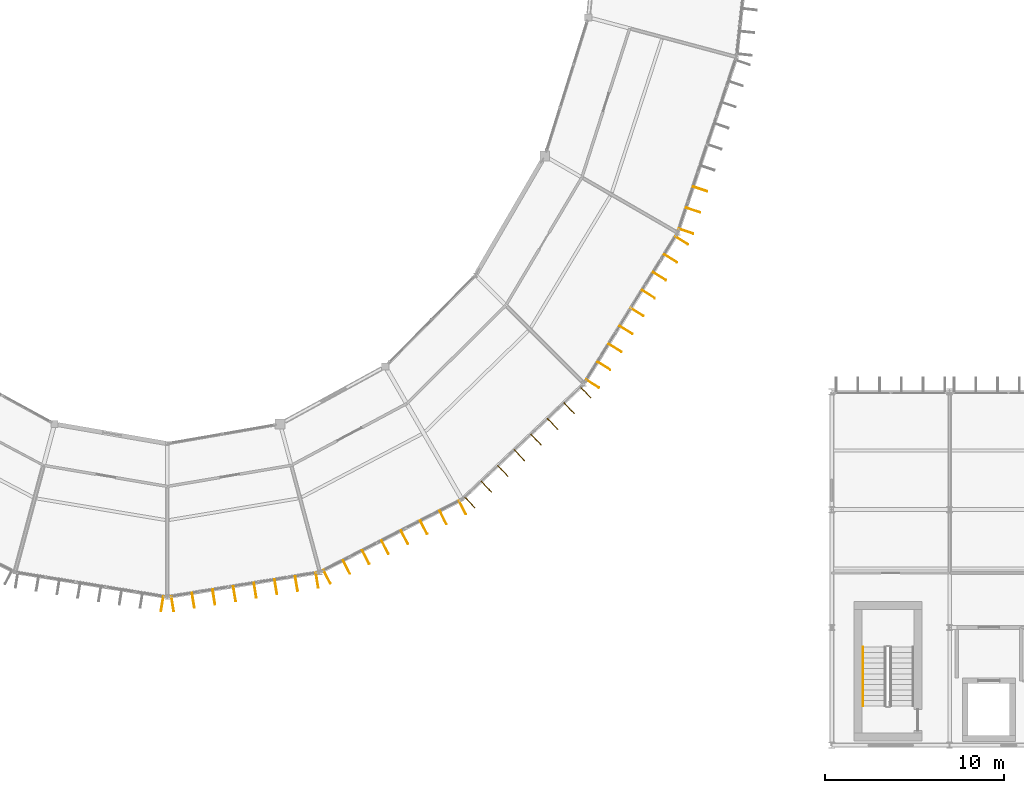
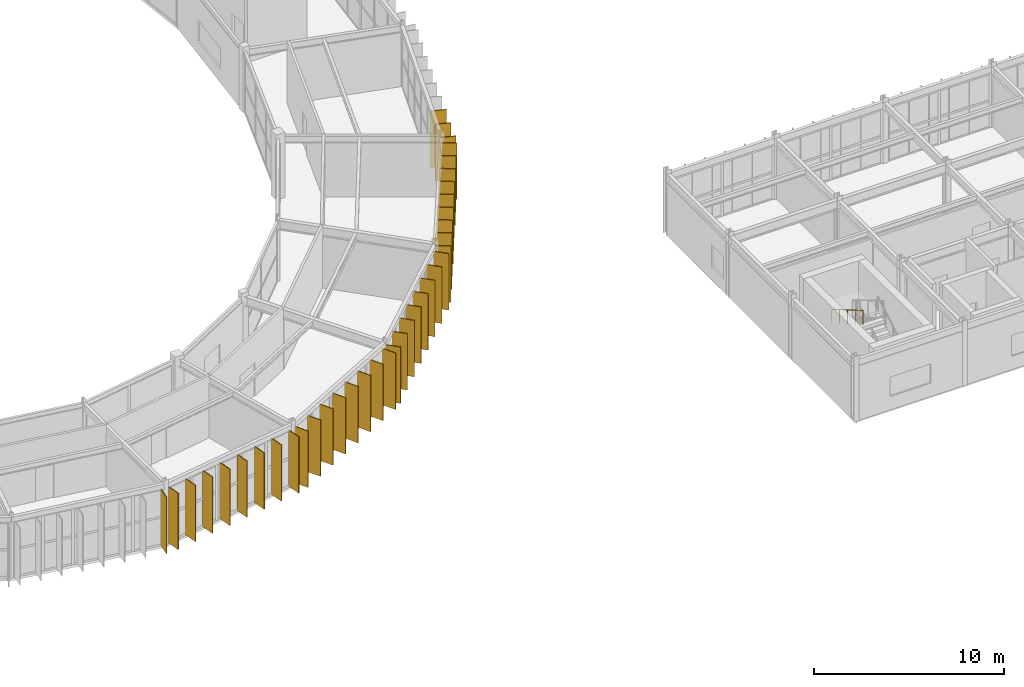
# One storey, part 123 of 130: 37 shading devices, 1 railing.
"""IFC4 building model written with IfcOpenShell, lengths in metres."""

from ifc_helpers import new_model, si_unit, direction, frame, origin, origin_2d, place, context, subcontext, project, spatial, rectangle, circle, extrude, material, layer, layer_set, type_object, element, save


model = new_model("IFC4")

# Units and contexts
model_context = context("Model", 3, precision=1e-05, world=origin(), true_north=direction((0.0, 1.0)))
body_context = subcontext(model_context, "Body", "Model", "MODEL_VIEW")
ifc_project = project(units=[si_unit("LENGTHUNIT", "METRE"), si_unit("AREAUNIT", "SQUARE_METRE"), si_unit("VOLUMEUNIT", "CUBIC_METRE"), si_unit("PLANEANGLEUNIT", "RADIAN"), si_unit("MASSUNIT", "GRAM", prefix="KILO")], contexts=[model_context])

# Site, building, storey
site_placement = place(None, origin())
site = spatial("IfcSite", under=ifc_project, at=site_placement, CompositionType="ELEMENT")
building_placement = place(site_placement, origin())
building = spatial("IfcBuilding", under=site, at=building_placement, Name="Karori Crest Natural Sciences Institute", CompositionType="ELEMENT")
storey_placement = place(building_placement, frame((0.0, 0.0, 17.5)))
storey = spatial("IfcBuildingStorey", under=building, at=storey_placement, Name="L04", CompositionType="ELEMENT", Elevation=17.5)

# Railing
ifc_material_1 = material(Name="Stainless steel 316 tubular handrail", Category="steel")
railing_type = type_object("IfcRailingType", Name="RLT-HND", PredefinedType="HANDRAIL", material=ifc_material_1)
railing_placement = place(storey_placement, frame((105.35009765625, 6.300048828125, 2.27490234375)))
element("IfcRailing", 1, at=railing_placement, inside=storey, type_object=railing_type, Name="Stair handrail RL-0128", PredefinedType="HANDRAIL", context=body_context, shape_type="SweptSolid", body=[
    extrude(circle(Radius=0.02392578125, at=origin_2d()), frame((0.0, 0.0, 0.90087890625), z_axis=(0.0, -0.863776583165, 0.503874998761), x_axis=(1.0, 0.0, 0.0)), (0.0, 0.0, 1.0), 3.820556640625),
    extrude(circle(Radius=0.02099609375, at=origin_2d()), origin(), (0.0, 0.0, 1.0), 0.876953125),
    extrude(circle(Radius=0.02099609375, at=origin_2d()), frame((0.0, -0.824951171875, 0.481201171875)), (0.0, 0.0, 1.0), 0.876953125),
    extrude(circle(Radius=0.02099609375, at=origin_2d()), frame((0.0, -1.64990234375, 0.96240234375)), (0.0, 0.0, 1.0), 0.876953125),
    extrude(circle(Radius=0.02099609375, at=origin_2d()), frame((0.0, -2.47509765625, 1.44384765625)), (0.0, 0.0, 1.0), 0.876953125),
    extrude(circle(Radius=0.02099609375, at=origin_2d()), frame((0.0, -3.300048828125, 1.925048828125)), (0.0, 0.0, 1.0), 0.876953125),
])

# Shading devices
ifc_material_2 = material(Name="Anodised architectural aluminium 6063-T6", Category="aluminium")
ifc_layer = layer(ifc_material_2, 0.044921875, Name="Anodised architectural aluminium 6063-T6")
ifc_layer_set = layer_set([ifc_layer], Name="Anodised architectural aluminium 6063-T6")
shading_device_type = type_object("IfcShadingDeviceType", Name="SDT-FIN", PredefinedType="USERDEFINED", material=ifc_layer_set)
for number, where, z_axis, x_axis, name in (
    (2, (66.109375, 8.73193359375, 0.0), (0.0, 0.0, 1.0), (-0.160654710652, -0.987010670634, 0.0), "Vertical solar fin FN-0758"),
    (3, (74.783203125, 10.049072265625, 0.0), (0.0, 0.0, 1.0), (0.160649542674, -0.987011511807, 0.0), "Vertical solar fin FN-0766"),
    (4, (73.626953125, 9.86083984375, 0.0), (0.0, 0.0, 1.0), (0.160649542674, -0.987011511807, 0.0), "Vertical solar fin FN-0767"),
    (5, (72.470947265625, 9.672607421875, 0.0), (0.0, 0.0, 1.0), (0.160649542674, -0.987011511807, 0.0), "Vertical solar fin FN-0768"),
    (6, (71.31494140625, 9.484619140625, 0.0), (0.0, 0.0, 1.0), (0.160649542674, -0.987011511807, 0.0), "Vertical solar fin FN-0769"),
    (7, (70.15869140625, 9.29638671875, 0.0), (0.0, 0.0, 1.0), (0.160649542674, -0.987011511807, 0.0), "Vertical solar fin FN-0770"),
    (8, (69.002685546875, 9.108154296875, 0.0), (0.0, 0.0, 1.0), (0.160649542674, -0.987011511807, 0.0), "Vertical solar fin FN-0771"),
    (9, (67.8466796875, 8.920166015625, 0.0), (0.0, 0.0, 1.0), (0.160649542674, -0.987011511807, 0.0), "Vertical solar fin FN-0772"),
    (10, (66.690673828125, 8.73193359375, 0.0), (0.0, 0.0, 1.0), (0.160649542674, -0.987011511807, 0.0), "Vertical solar fin FN-0773"),
    (11, (82.922607421875, 14.1171875, 0.0), (0.0, 0.0, 1.0), (0.455829213737, -0.890067260326, 0.0), "Vertical solar fin FN-0774"),
    (12, (81.839599609375, 13.5625, 0.0), (0.0, 0.0, 1.0), (0.455829213737, -0.890067260326, 0.0), "Vertical solar fin FN-0775"),
    (13, (80.7568359375, 13.008056640625, 0.0), (0.0, 0.0, 1.0), (0.455829213737, -0.890067260326, 0.0), "Vertical solar fin FN-0776"),
    (14, (79.673828125, 12.453369140625, 0.0), (0.0, 0.0, 1.0), (0.455829213737, -0.890067260326, 0.0), "Vertical solar fin FN-0777"),
    (15, (78.5908203125, 11.898681640625, 0.0), (0.0, 0.0, 1.0), (0.455829213737, -0.890067260326, 0.0), "Vertical solar fin FN-0778"),
    (16, (77.508056640625, 11.34423828125, 0.0), (0.0, 0.0, 1.0), (0.455829213737, -0.890067260326, 0.0), "Vertical solar fin FN-0779"),
    (17, (76.425048828125, 10.78955078125, 0.0), (0.0, 0.0, 1.0), (0.455829213737, -0.890067260326, 0.0), "Vertical solar fin FN-0780"),
    (18, (75.342041015625, 10.235107421875, 0.0), (0.0, 0.0, 1.0), (0.455829213737, -0.890067260326, 0.0), "Vertical solar fin FN-0781"),
    (19, (89.817626953125, 20.563720703125, 0.0), (0.0, 0.0, 1.0), (0.688250755242, -0.725472878824, 0.0), "Vertical solar fin FN-0782"),
    (20, (88.890869140625, 19.6845703125, 0.0), (0.0, 0.0, 1.0), (0.688250755242, -0.725472878824, 0.0), "Vertical solar fin FN-0783"),
    (21, (87.964111328125, 18.805419921875, 0.0), (0.0, 0.0, 1.0), (0.688250755242, -0.725472878824, 0.0), "Vertical solar fin FN-0784"),
    (22, (87.037353515625, 17.926025390625, 0.0), (0.0, 0.0, 1.0), (0.688250755242, -0.725472878824, 0.0), "Vertical solar fin FN-0785"),
    (23, (86.110595703125, 17.046875, 0.0), (0.0, 0.0, 1.0), (0.688250755242, -0.725472878824, 0.0), "Vertical solar fin FN-0786"),
    (24, (85.183837890625, 16.16748046875, 0.0), (0.0, 0.0, 1.0), (0.688250755242, -0.725472878824, 0.0), "Vertical solar fin FN-0787"),
    (25, (84.257080078125, 15.288330078125, 0.0), (0.0, 0.0, 1.0), (0.688250755242, -0.725472878824, 0.0), "Vertical solar fin FN-0788"),
    (26, (83.330078125, 14.4091796875, 0.0), (0.0, 0.0, 1.0), (0.688250755242, -0.725472878824, 0.0), "Vertical solar fin FN-0789"),
    (27, (95.196533203125, 29.073486328125, 0.0), (0.0, 0.0, 1.0), (0.849664524961, -0.527323615081, 0.0), "Vertical solar fin FN-0790"),
    (28, (94.573974609375, 28.0703125, 0.0), (0.0, 0.0, 1.0), (0.849664524961, -0.527323615081, 0.0), "Vertical solar fin FN-0791"),
    (29, (93.951416015625, 27.06689453125, 0.0), (0.0, 0.0, 1.0), (0.849664524961, -0.527323615081, 0.0), "Vertical solar fin FN-0792"),
    (30, (93.32861328125, 26.063720703125, 0.0), (0.0, 0.0, 1.0), (0.849664524961, -0.527323615081, 0.0), "Vertical solar fin FN-0793"),
    (31, (92.705810546875, 25.060302734375, 0.0), (0.0, 0.0, 1.0), (0.849664524961, -0.527323615081, 0.0), "Vertical solar fin FN-0794"),
    (32, (92.083251953125, 24.056884765625, 0.0), (0.0, 0.0, 1.0), (0.849664524961, -0.527323615081, 0.0), "Vertical solar fin FN-0795"),
    (33, (91.460693359375, 23.0537109375, 0.0), (0.0, 0.0, 1.0), (0.849664524961, -0.527323615081, 0.0), "Vertical solar fin FN-0796"),
    (34, (90.837890625, 22.05029296875, 0.0), (0.0, 0.0, 1.0), (0.849664524961, -0.527323615081, 0.0), "Vertical solar fin FN-0797"),
    (35, (90.215087890625, 21.047119140625, 0.0), (0.0, 0.0, 1.0), (0.849664524961, -0.527323615081, 0.0), "Vertical solar fin FN-0798"),
    (36, (96.232421875, 31.951416015625, 0.0), (0.0, 0.0, 1.0), (0.948197867933, -0.317680347595, 0.0), "Vertical solar fin FN-0805"),
    (37, (95.8369140625, 30.7705078125, 0.0), (0.0, 0.0, 1.0), (0.948197867933, -0.317680347595, 0.0), "Vertical solar fin FN-0806"),
    (38, (95.441162109375, 29.589599609375, 0.0), (0.0, 0.0, 1.0), (0.948197867933, -0.317680347595, 0.0), "Vertical solar fin FN-0807"),
):
    element("IfcShadingDevice", number, at=place(storey_placement, frame(where, z_axis=z_axis, x_axis=x_axis)), inside=storey, type_object=shading_device_type, Name=name, ObjectType="SOLAR_FIN", PredefinedType="USERDEFINED", context=body_context, shape_type="SweptSolid", body=[
        extrude(rectangle(XDim=0.85009765625, YDim=0.044921875, at=origin_2d()), origin(), (0.0, 0.0, 1.0), 3.625),
    ])

save(model, "model.ifc")
